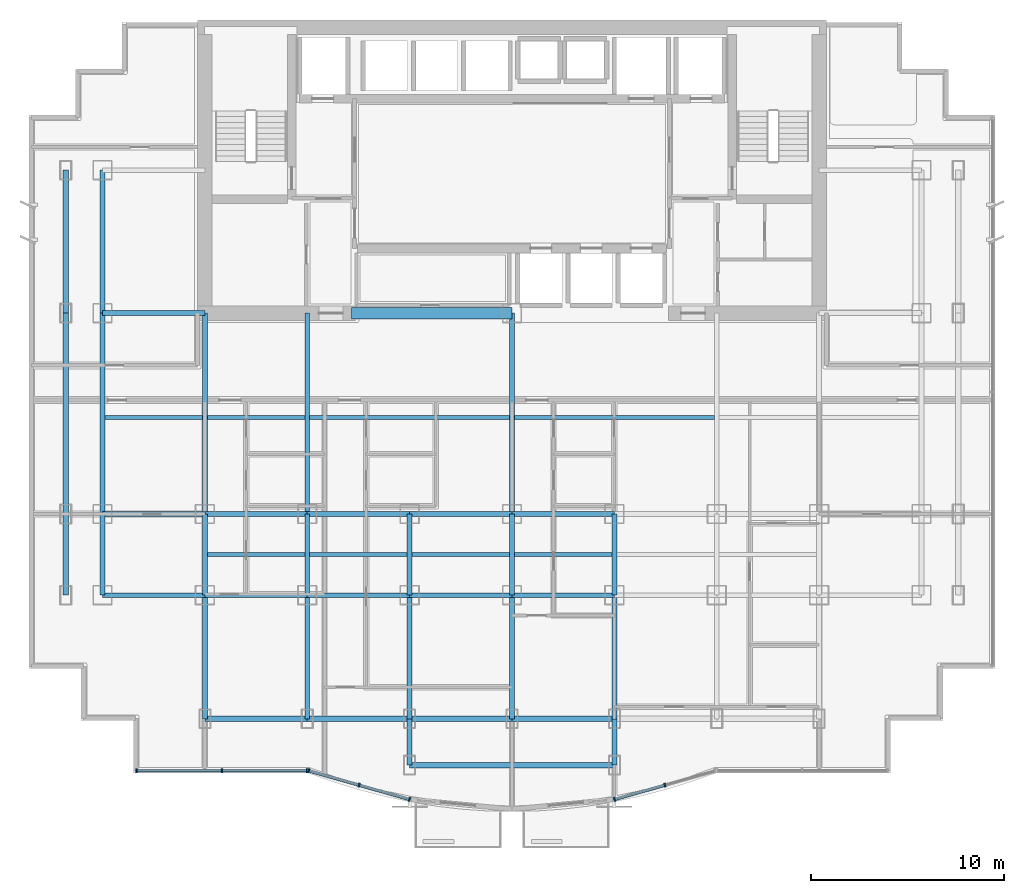
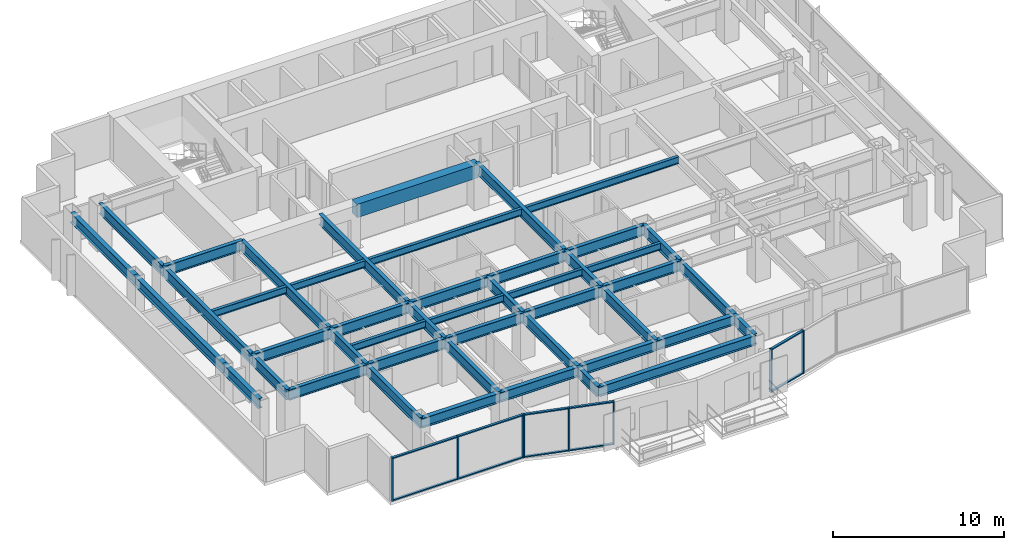
# One storey, part 2 of 12: 46 beams, 18 members, 3 elements without a shape of their own.
"""IFC4 building model written with IfcOpenShell, lengths in metres."""

from ifc_helpers import new_model, si_unit, direction, frame, origin, origin_2d, place, context, subcontext, project, spatial, rectangle, i_section, extrude, source, transform, mapped, material, layer, layer_set, material_profile, profile_set, type_object, element, aggregate, save


model = new_model("IFC4")

# Units and contexts
model_context = context("Model", 3, precision=1e-05, world=origin(), true_north=direction((0.0, 1.0)))
body_context = subcontext(model_context, "Body", "Model", "MODEL_VIEW")
ifc_project = project(units=[si_unit("LENGTHUNIT", "METRE"), si_unit("AREAUNIT", "SQUARE_METRE"), si_unit("VOLUMEUNIT", "CUBIC_METRE"), si_unit("PLANEANGLEUNIT", "RADIAN"), si_unit("MASSUNIT", "GRAM", prefix="KILO")], contexts=[model_context])

# Site, building, storey
site_placement = place(None, origin())
site = spatial("IfcSite", under=ifc_project, at=site_placement, CompositionType="ELEMENT")
building_placement = place(site_placement, origin())
building = spatial("IfcBuilding", under=site, at=building_placement, Name="Qianlan Lanfeng Residences", CompositionType="ELEMENT")
storey_placement = place(building_placement, frame((0.0, 0.0, 85.0)))
storey = spatial("IfcBuildingStorey", under=building, at=storey_placement, Name="L22", CompositionType="ELEMENT", Elevation=85.0)

# Beams
ifc_material_1 = material(Name="Steel SN490B", Category="steel")
ifc_material_profile_1 = material_profile(ifc_material_1, i_section(OverallWidth=0.25, OverallDepth=0.75, WebThickness=0.013916015625, FlangeThickness=0.02490234375, at=origin_2d()), Name="H 750x250x14x25")
ifc_profile_set_1 = profile_set([ifc_material_profile_1], Name="Steel SN490B")
beam_type_1 = type_object("IfcBeamType", Name="G-850", PredefinedType="BEAM", material=ifc_profile_set_1)
beam_1_placement = place(storey_placement, frame((5.300048828125, 10.60009765625, 2.715087890625), z_axis=(1.0, 0.0, 0.0), x_axis=(0.0, 1.0, 0.0)))
element("IfcBeam", 1, at=beam_1_placement, inside=storey, type_object=beam_type_1, Name="Structural beam G-850", PredefinedType="BEAM", context=body_context, shape_type="SweptSolid", body=[
    extrude(i_section(OverallWidth=0.25, OverallDepth=0.75, WebThickness=0.013916015625, FlangeThickness=0.02490234375, at=origin_2d()), origin(), (0.0, 0.0, 1.0), 5.300048828125),
])
beam_2_placement = place(storey_placement, frame((10.60009765625, 10.60009765625, 2.715087890625), z_axis=(1.0, 0.0, 0.0), x_axis=(0.0, 1.0, 0.0)))
element("IfcBeam", 2, at=beam_2_placement, inside=storey, type_object=beam_type_1, Name="Structural beam G-850", PredefinedType="BEAM", context=body_context, shape_type="SweptSolid", body=[
    extrude(i_section(OverallWidth=0.25, OverallDepth=0.75, WebThickness=0.013916015625, FlangeThickness=0.02490234375, at=origin_2d()), origin(), (0.0, 0.0, 1.0), 5.2998046875),
])
for number, where, z_axis, x_axis, name in (
    (3, (15.89990234375, 10.60009765625, 2.715087890625), (1.0, 0.0, 0.0), (0.0, 1.0, 0.0), "Structural beam G-850"),
    (4, (21.199951171875, 10.60009765625, 2.715087890625), (1.0, 0.0, 0.0), (0.0, 1.0, 0.0), "Structural beam G-850"),
    (5, (26.5, 10.60009765625, 2.715087890625), (1.0, 0.0, 0.0), (0.0, 1.0, 0.0), "Structural beam G-850"),
    (6, (5.300048828125, 14.800048828125, 2.715087890625), (1.0, 0.0, 0.0), (0.0, 1.0, 0.0), "Structural beam G-850"),
):
    element("IfcBeam", number, at=place(storey_placement, frame(where, z_axis=z_axis, x_axis=x_axis)), inside=storey, type_object=beam_type_1, Name=name, PredefinedType="BEAM", context=body_context, shape_type="SweptSolid", body=[
        extrude(i_section(OverallWidth=0.25, OverallDepth=0.75, WebThickness=0.013916015625, FlangeThickness=0.02490234375, at=origin_2d()), origin(), (0.0, 0.0, 1.0), 5.300048828125),
    ])
beam_3_placement = place(storey_placement, frame((10.60009765625, 14.800048828125, 2.715087890625), z_axis=(1.0, 0.0, 0.0), x_axis=(0.0, 1.0, 0.0)))
element("IfcBeam", 7, at=beam_3_placement, inside=storey, type_object=beam_type_1, Name="Structural beam G-850", PredefinedType="BEAM", context=body_context, shape_type="SweptSolid", body=[
    extrude(i_section(OverallWidth=0.25, OverallDepth=0.75, WebThickness=0.013916015625, FlangeThickness=0.02490234375, at=origin_2d()), origin(), (0.0, 0.0, 1.0), 5.2998046875),
])
for number, where, z_axis, x_axis, name in (
    (8, (15.89990234375, 14.800048828125, 2.715087890625), (1.0, 0.0, 0.0), (0.0, 1.0, 0.0), "Structural beam G-850"),
    (9, (21.199951171875, 14.800048828125, 2.715087890625), (1.0, 0.0, 0.0), (0.0, 1.0, 0.0), "Structural beam G-850"),
    (10, (26.5, 14.800048828125, 2.715087890625), (1.0, 0.0, 0.0), (0.0, 1.0, 0.0), "Structural beam G-850"),
    (11, (5.300048828125, 25.199951171875, 2.715087890625), (1.0, 0.0, 0.0), (0.0, 1.0, 0.0), "Structural beam G-850"),
):
    element("IfcBeam", number, at=place(storey_placement, frame(where, z_axis=z_axis, x_axis=x_axis)), inside=storey, type_object=beam_type_1, Name=name, PredefinedType="BEAM", context=body_context, shape_type="SweptSolid", body=[
        extrude(i_section(OverallWidth=0.25, OverallDepth=0.75, WebThickness=0.013916015625, FlangeThickness=0.02490234375, at=origin_2d()), origin(), (0.0, 0.0, 1.0), 5.300048828125),
    ])
beam_4_placement = place(storey_placement, frame((5.300048828125, 10.60009765625, 2.715087890625), z_axis=(0.0, 1.0, 0.0), x_axis=(-1.0, 0.0, 0.0)))
element("IfcBeam", 12, at=beam_4_placement, inside=storey, type_object=beam_type_1, Name="Structural beam G-850", PredefinedType="BEAM", context=body_context, shape_type="SweptSolid", body=[
    extrude(i_section(OverallWidth=0.25, OverallDepth=0.75, WebThickness=0.013916015625, FlangeThickness=0.02490234375, at=origin_2d()), origin(), (0.0, 0.0, 1.0), 4.199951171875),
])
beam_5_placement = place(storey_placement, frame((5.300048828125, 14.800048828125, 2.715087890625), z_axis=(0.0, 1.0, 0.0), x_axis=(-1.0, 0.0, 0.0)))
element("IfcBeam", 13, at=beam_5_placement, inside=storey, type_object=beam_type_1, Name="Structural beam G-850", PredefinedType="BEAM", context=body_context, shape_type="SweptSolid", body=[
    extrude(i_section(OverallWidth=0.25, OverallDepth=0.75, WebThickness=0.013916015625, FlangeThickness=0.02490234375, at=origin_2d()), origin(), (0.0, 0.0, 1.0), 10.39990234375),
])
beam_6_placement = place(storey_placement, frame((5.300048828125, 25.199951171875, 2.715087890625), z_axis=(0.0, 1.0, 0.0), x_axis=(-1.0, 0.0, 0.0)))
element("IfcBeam", 14, at=beam_6_placement, inside=storey, type_object=beam_type_1, Name="Structural beam G-850", PredefinedType="BEAM", context=body_context, shape_type="SweptSolid", body=[
    extrude(i_section(OverallWidth=0.25, OverallDepth=0.75, WebThickness=0.013916015625, FlangeThickness=0.02490234375, at=origin_2d()), origin(), (0.0, 0.0, 1.0), 7.400146484375),
])
beam_7_placement = place(storey_placement, frame((10.60009765625, 4.199951171875, 2.715087890625), z_axis=(0.0, 1.0, 0.0), x_axis=(-1.0, 0.0, 0.0)))
element("IfcBeam", 15, at=beam_7_placement, inside=storey, type_object=beam_type_1, Name="Structural beam G-850", PredefinedType="BEAM", context=body_context, shape_type="SweptSolid", body=[
    extrude(i_section(OverallWidth=0.25, OverallDepth=0.75, WebThickness=0.013916015625, FlangeThickness=0.02490234375, at=origin_2d()), origin(), (0.0, 0.0, 1.0), 6.400146484375),
])
beam_8_placement = place(storey_placement, frame((10.60009765625, 10.60009765625, 2.715087890625), z_axis=(0.0, 1.0, 0.0), x_axis=(-1.0, 0.0, 0.0)))
element("IfcBeam", 16, at=beam_8_placement, inside=storey, type_object=beam_type_1, Name="Structural beam G-850", PredefinedType="BEAM", context=body_context, shape_type="SweptSolid", body=[
    extrude(i_section(OverallWidth=0.25, OverallDepth=0.75, WebThickness=0.013916015625, FlangeThickness=0.02490234375, at=origin_2d()), origin(), (0.0, 0.0, 1.0), 4.199951171875),
])
beam_9_placement = place(storey_placement, frame((10.60009765625, 14.800048828125, 2.715087890625), z_axis=(0.0, 1.0, 0.0), x_axis=(-1.0, 0.0, 0.0)))
element("IfcBeam", 17, at=beam_9_placement, inside=storey, type_object=beam_type_1, Name="Structural beam G-850", PredefinedType="BEAM", context=body_context, shape_type="SweptSolid", body=[
    extrude(i_section(OverallWidth=0.25, OverallDepth=0.75, WebThickness=0.013916015625, FlangeThickness=0.02490234375, at=origin_2d()), origin(), (0.0, 0.0, 1.0), 10.39990234375),
])
beam_10_placement = place(storey_placement, frame((15.89990234375, 4.199951171875, 2.715087890625), z_axis=(0.0, 1.0, 0.0), x_axis=(-1.0, 0.0, 0.0)))
element("IfcBeam", 18, at=beam_10_placement, inside=storey, type_object=beam_type_1, Name="Structural beam G-850", PredefinedType="BEAM", context=body_context, shape_type="SweptSolid", body=[
    extrude(i_section(OverallWidth=0.25, OverallDepth=0.75, WebThickness=0.013916015625, FlangeThickness=0.02490234375, at=origin_2d()), origin(), (0.0, 0.0, 1.0), 6.400146484375),
])
beam_11_placement = place(storey_placement, frame((15.89990234375, 10.60009765625, 2.715087890625), z_axis=(0.0, 1.0, 0.0), x_axis=(-1.0, 0.0, 0.0)))
element("IfcBeam", 19, at=beam_11_placement, inside=storey, type_object=beam_type_1, Name="Structural beam G-850", PredefinedType="BEAM", context=body_context, shape_type="SweptSolid", body=[
    extrude(i_section(OverallWidth=0.25, OverallDepth=0.75, WebThickness=0.013916015625, FlangeThickness=0.02490234375, at=origin_2d()), origin(), (0.0, 0.0, 1.0), 4.199951171875),
])
beam_12_placement = place(storey_placement, frame((15.89990234375, 14.800048828125, 2.715087890625), z_axis=(0.0, 1.0, 0.0), x_axis=(-1.0, 0.0, 0.0)))
element("IfcBeam", 20, at=beam_12_placement, inside=storey, type_object=beam_type_1, Name="Structural beam G-850", PredefinedType="BEAM", context=body_context, shape_type="SweptSolid", body=[
    extrude(i_section(OverallWidth=0.25, OverallDepth=0.75, WebThickness=0.013916015625, FlangeThickness=0.02490234375, at=origin_2d()), origin(), (0.0, 0.0, 1.0), 10.39990234375),
])
beam_13_placement = place(storey_placement, frame((21.199951171875, 1.800048828125, 2.715087890625), z_axis=(0.0, 1.0, 0.0), x_axis=(-1.0, 0.0, 0.0)))
element("IfcBeam", 21, at=beam_13_placement, inside=storey, type_object=beam_type_1, Name="Structural beam G-850", PredefinedType="BEAM", context=body_context, shape_type="SweptSolid", body=[
    extrude(i_section(OverallWidth=0.25, OverallDepth=0.75, WebThickness=0.013916015625, FlangeThickness=0.02490234375, at=origin_2d()), origin(), (0.0, 0.0, 1.0), 2.39990234375),
])
beam_14_placement = place(storey_placement, frame((21.199951171875, 4.199951171875, 2.715087890625), z_axis=(0.0, 1.0, 0.0), x_axis=(-1.0, 0.0, 0.0)))
element("IfcBeam", 22, at=beam_14_placement, inside=storey, type_object=beam_type_1, Name="Structural beam G-850", PredefinedType="BEAM", context=body_context, shape_type="SweptSolid", body=[
    extrude(i_section(OverallWidth=0.25, OverallDepth=0.75, WebThickness=0.013916015625, FlangeThickness=0.02490234375, at=origin_2d()), origin(), (0.0, 0.0, 1.0), 6.400146484375),
])
beam_15_placement = place(storey_placement, frame((21.199951171875, 10.60009765625, 2.715087890625), z_axis=(0.0, 1.0, 0.0), x_axis=(-1.0, 0.0, 0.0)))
element("IfcBeam", 23, at=beam_15_placement, inside=storey, type_object=beam_type_1, Name="Structural beam G-850", PredefinedType="BEAM", context=body_context, shape_type="SweptSolid", body=[
    extrude(i_section(OverallWidth=0.25, OverallDepth=0.75, WebThickness=0.013916015625, FlangeThickness=0.02490234375, at=origin_2d()), origin(), (0.0, 0.0, 1.0), 4.199951171875),
])
beam_16_placement = place(storey_placement, frame((26.5, 4.199951171875, 2.715087890625), z_axis=(0.0, 1.0, 0.0), x_axis=(-1.0, 0.0, 0.0)))
element("IfcBeam", 24, at=beam_16_placement, inside=storey, type_object=beam_type_1, Name="Structural beam G-850", PredefinedType="BEAM", context=body_context, shape_type="SweptSolid", body=[
    extrude(i_section(OverallWidth=0.25, OverallDepth=0.75, WebThickness=0.013916015625, FlangeThickness=0.02490234375, at=origin_2d()), origin(), (0.0, 0.0, 1.0), 6.400146484375),
])
beam_17_placement = place(storey_placement, frame((26.5, 10.60009765625, 2.715087890625), z_axis=(0.0, 1.0, 0.0), x_axis=(-1.0, 0.0, 0.0)))
element("IfcBeam", 25, at=beam_17_placement, inside=storey, type_object=beam_type_1, Name="Structural beam G-850", PredefinedType="BEAM", context=body_context, shape_type="SweptSolid", body=[
    extrude(i_section(OverallWidth=0.25, OverallDepth=0.75, WebThickness=0.013916015625, FlangeThickness=0.02490234375, at=origin_2d()), origin(), (0.0, 0.0, 1.0), 4.199951171875),
])
beam_18_placement = place(storey_placement, frame((26.5, 14.800048828125, 2.715087890625), z_axis=(0.0, 1.0, 0.0), x_axis=(-1.0, 0.0, 0.0)))
element("IfcBeam", 26, at=beam_18_placement, inside=storey, type_object=beam_type_1, Name="Structural beam G-850", PredefinedType="BEAM", context=body_context, shape_type="SweptSolid", body=[
    extrude(i_section(OverallWidth=0.25, OverallDepth=0.75, WebThickness=0.013916015625, FlangeThickness=0.02490234375, at=origin_2d()), origin(), (0.0, 0.0, 1.0), 10.39990234375),
])
beam_19_placement = place(storey_placement, frame((31.800048828125, 1.800048828125, 2.715087890625), z_axis=(0.0, 1.0, 0.0), x_axis=(-1.0, 0.0, 0.0)))
element("IfcBeam", 27, at=beam_19_placement, inside=storey, type_object=beam_type_1, Name="Structural beam G-850", PredefinedType="BEAM", context=body_context, shape_type="SweptSolid", body=[
    extrude(i_section(OverallWidth=0.25, OverallDepth=0.75, WebThickness=0.013916015625, FlangeThickness=0.02490234375, at=origin_2d()), origin(), (0.0, 0.0, 1.0), 2.39990234375),
])
beam_20_placement = place(storey_placement, frame((31.800048828125, 4.199951171875, 2.715087890625), z_axis=(0.0, 1.0, 0.0), x_axis=(-1.0, 0.0, 0.0)))
element("IfcBeam", 28, at=beam_20_placement, inside=storey, type_object=beam_type_1, Name="Structural beam G-850", PredefinedType="BEAM", context=body_context, shape_type="SweptSolid", body=[
    extrude(i_section(OverallWidth=0.25, OverallDepth=0.75, WebThickness=0.013916015625, FlangeThickness=0.02490234375, at=origin_2d()), origin(), (0.0, 0.0, 1.0), 6.400146484375),
])
beam_21_placement = place(storey_placement, frame((31.800048828125, 10.60009765625, 2.715087890625), z_axis=(0.0, 1.0, 0.0), x_axis=(-1.0, 0.0, 0.0)))
element("IfcBeam", 29, at=beam_21_placement, inside=storey, type_object=beam_type_1, Name="Structural beam G-850", PredefinedType="BEAM", context=body_context, shape_type="SweptSolid", body=[
    extrude(i_section(OverallWidth=0.25, OverallDepth=0.75, WebThickness=0.013916015625, FlangeThickness=0.02490234375, at=origin_2d()), origin(), (0.0, 0.0, 1.0), 4.199951171875),
])
ifc_material_profile_2 = material_profile(ifc_material_1, i_section(OverallWidth=0.199951171875, OverallDepth=0.5, WebThickness=0.010009765625, FlangeThickness=0.01611328125, at=origin_2d()), Name="H 500x200x10x16")
ifc_profile_set_2 = profile_set([ifc_material_profile_2], Name="Steel SN490B")
beam_type_2 = type_object("IfcBeamType", Name="J-500", PredefinedType="JOIST", material=ifc_profile_set_2)
beam_22_placement = place(storey_placement, frame((10.72509765625, 12.699951171875, 2.840087890625), z_axis=(1.0, 0.0, 0.0), x_axis=(0.0, 1.0, 0.0)))
element("IfcBeam", 30, at=beam_22_placement, inside=storey, type_object=beam_type_2, Name="Structural beam J-500", PredefinedType="JOIST", context=body_context, shape_type="SweptSolid", body=[
    extrude(i_section(OverallWidth=0.199951171875, OverallDepth=0.5, WebThickness=0.010009765625, FlangeThickness=0.01611328125, at=origin_2d()), origin(), (0.0, 0.0, 1.0), 5.0498046875),
])
for number, where, z_axis, x_axis, name in (
    (31, (16.02490234375, 12.699951171875, 2.840087890625), (1.0, 0.0, 0.0), (0.0, 1.0, 0.0), "Structural beam J-500"),
    (32, (21.324951171875, 12.699951171875, 2.840087890625), (1.0, 0.0, 0.0), (0.0, 1.0, 0.0), "Structural beam J-500"),
    (33, (26.625, 12.699951171875, 2.840087890625), (1.0, 0.0, 0.0), (0.0, 1.0, 0.0), "Structural beam J-500"),
    (34, (5.425048828125, 19.800048828125, 2.840087890625), (1.0, 0.0, 0.0), (0.0, 1.0, 0.0), "Structural beam J-500"),
):
    element("IfcBeam", number, at=place(storey_placement, frame(where, z_axis=z_axis, x_axis=x_axis)), inside=storey, type_object=beam_type_2, Name=name, PredefinedType="JOIST", context=body_context, shape_type="SweptSolid", body=[
        extrude(i_section(OverallWidth=0.199951171875, OverallDepth=0.5, WebThickness=0.010009765625, FlangeThickness=0.01611328125, at=origin_2d()), origin(), (0.0, 0.0, 1.0), 5.050048828125),
    ])
beam_23_placement = place(storey_placement, frame((10.72509765625, 19.800048828125, 2.840087890625), z_axis=(1.0, 0.0, 0.0), x_axis=(0.0, 1.0, 0.0)))
element("IfcBeam", 35, at=beam_23_placement, inside=storey, type_object=beam_type_2, Name="Structural beam J-500", PredefinedType="JOIST", context=body_context, shape_type="SweptSolid", body=[
    extrude(i_section(OverallWidth=0.199951171875, OverallDepth=0.5, WebThickness=0.010009765625, FlangeThickness=0.01611328125, at=origin_2d()), origin(), (0.0, 0.0, 1.0), 5.0498046875),
])
for number, where, z_axis, x_axis, name in (
    (36, (16.02490234375, 19.800048828125, 2.840087890625), (1.0, 0.0, 0.0), (0.0, 1.0, 0.0), "Structural beam J-500"),
    (37, (26.625, 19.800048828125, 2.840087890625), (1.0, 0.0, 0.0), (0.0, 1.0, 0.0), "Structural beam J-500"),
):
    element("IfcBeam", number, at=place(storey_placement, frame(where, z_axis=z_axis, x_axis=x_axis)), inside=storey, type_object=beam_type_2, Name=name, PredefinedType="JOIST", context=body_context, shape_type="SweptSolid", body=[
        extrude(i_section(OverallWidth=0.199951171875, OverallDepth=0.5, WebThickness=0.010009765625, FlangeThickness=0.01611328125, at=origin_2d()), origin(), (0.0, 0.0, 1.0), 10.35009765625),
    ])
ifc_material_2 = material(Name="Concrete C60", Category="concrete")
ifc_material_profile_3 = material_profile(ifc_material_2, rectangle(XDim=0.60009765625, YDim=0.949951171875, at=origin_2d()), Name="RC 600x950")
ifc_profile_set_3 = profile_set([ifc_material_profile_3], Name="Concrete C60")
beam_type_3 = type_object("IfcBeamType", Name="LB-RC900", PredefinedType="BEAM", material=ifc_profile_set_3)
beam_24_placement = place(storey_placement, frame((18.199951171875, 25.199951171875, 2.614990234375), z_axis=(1.0, 0.0, 0.0), x_axis=(0.0, 1.0, 0.0)))
element("IfcBeam", 38, at=beam_24_placement, inside=storey, type_object=beam_type_3, Name="L22 Core Coupling Beam W", PredefinedType="BEAM", context=body_context, shape_type="SweptSolid", body=[
    extrude(rectangle(XDim=0.60009765625, YDim=0.949951171875, at=origin_2d()), origin(), (0.0, 0.0, 1.0), 8.300048828125),
])
ifc_material_profile_4 = material_profile(ifc_material_1, i_section(OverallWidth=0.300048828125, OverallDepth=0.699951171875, WebThickness=0.012939453125, FlangeThickness=0.02392578125, at=origin_2d()), Name="H 700x300x13x24")
ifc_profile_set_4 = profile_set([ifc_material_profile_4], Name="Steel SN490B")
beam_type_4 = type_object("IfcBeamType", Name="SG-750", PredefinedType="SPANDREL", material=ifc_profile_set_4)
beam_25_placement = place(storey_placement, frame((21.199951171875, 1.800048828125, 2.739990234375), z_axis=(1.0, 0.0, 0.0), x_axis=(0.0, 1.0, 0.0)))
element("IfcBeam", 39, at=beam_25_placement, inside=storey, type_object=beam_type_4, Name="Structural beam SG-750", PredefinedType="SPANDREL", context=body_context, shape_type="SweptSolid", body=[
    extrude(i_section(OverallWidth=0.300048828125, OverallDepth=0.699951171875, WebThickness=0.012939453125, FlangeThickness=0.02392578125, at=origin_2d()), origin(), (0.0, 0.0, 1.0), 10.60009765625),
])
beam_26_placement = place(storey_placement, frame((10.60009765625, 4.199951171875, 2.739990234375), z_axis=(1.0, 0.0, 0.0), x_axis=(0.0, 1.0, 0.0)))
element("IfcBeam", 40, at=beam_26_placement, inside=storey, type_object=beam_type_4, Name="Structural beam SG-750", PredefinedType="SPANDREL", context=body_context, shape_type="SweptSolid", body=[
    extrude(i_section(OverallWidth=0.300048828125, OverallDepth=0.699951171875, WebThickness=0.012939453125, FlangeThickness=0.02392578125, at=origin_2d()), origin(), (0.0, 0.0, 1.0), 5.2998046875),
])
for number, where, z_axis, x_axis, name in (
    (41, (15.89990234375, 4.199951171875, 2.739990234375), (1.0, 0.0, 0.0), (0.0, 1.0, 0.0), "Structural beam SG-750"),
    (42, (21.199951171875, 4.199951171875, 2.739990234375), (1.0, 0.0, 0.0), (0.0, 1.0, 0.0), "Structural beam SG-750"),
    (43, (26.5, 4.199951171875, 2.739990234375), (1.0, 0.0, 0.0), (0.0, 1.0, 0.0), "Structural beam SG-750"),
):
    element("IfcBeam", number, at=place(storey_placement, frame(where, z_axis=z_axis, x_axis=x_axis)), inside=storey, type_object=beam_type_4, Name=name, PredefinedType="SPANDREL", context=body_context, shape_type="SweptSolid", body=[
        extrude(i_section(OverallWidth=0.300048828125, OverallDepth=0.699951171875, WebThickness=0.012939453125, FlangeThickness=0.02392578125, at=origin_2d()), origin(), (0.0, 0.0, 1.0), 5.300048828125),
    ])
beam_27_placement = place(storey_placement, frame((3.39990234375, 10.60009765625, 2.739990234375), z_axis=(0.0, 1.0, 0.0), x_axis=(-1.0, 0.0, 0.0)))
element("IfcBeam", 44, at=beam_27_placement, inside=storey, type_object=beam_type_4, Name="Structural beam SG-750", PredefinedType="SPANDREL", context=body_context, shape_type="SweptSolid", body=[
    extrude(i_section(OverallWidth=0.300048828125, OverallDepth=0.699951171875, WebThickness=0.012939453125, FlangeThickness=0.02392578125, at=origin_2d()), origin(), (0.0, 0.0, 1.0), 4.199951171875),
])
beam_28_placement = place(storey_placement, frame((3.39990234375, 14.800048828125, 2.739990234375), z_axis=(0.0, 1.0, 0.0), x_axis=(-1.0, 0.0, 0.0)))
element("IfcBeam", 45, at=beam_28_placement, inside=storey, type_object=beam_type_4, Name="Structural beam SG-750", PredefinedType="SPANDREL", context=body_context, shape_type="SweptSolid", body=[
    extrude(i_section(OverallWidth=0.300048828125, OverallDepth=0.699951171875, WebThickness=0.012939453125, FlangeThickness=0.02392578125, at=origin_2d()), origin(), (0.0, 0.0, 1.0), 10.39990234375),
])
beam_29_placement = place(storey_placement, frame((3.39990234375, 25.199951171875, 2.739990234375), z_axis=(0.0, 1.0, 0.0), x_axis=(-1.0, 0.0, 0.0)))
element("IfcBeam", 46, at=beam_29_placement, inside=storey, type_object=beam_type_4, Name="Structural beam SG-750", PredefinedType="SPANDREL", context=body_context, shape_type="SweptSolid", body=[
    extrude(i_section(OverallWidth=0.300048828125, OverallDepth=0.699951171875, WebThickness=0.012939453125, FlangeThickness=0.02392578125, at=origin_2d()), origin(), (0.0, 0.0, 1.0), 7.400146484375),
])

# Curtain wall, members
ifc_material_3 = material(Name="Anodised Bronze Aluminium 6063-T6", Category="aluminium")
ifc_layer = layer(ifc_material_3, 0.219970703125)
ifc_layer_set = layer_set([ifc_layer], Name="Anodised Bronze Aluminium 6063-T6")
curtain_wall_type = type_object("IfcCurtainWallType", Name="CW-03", PredefinedType="NOTDEFINED", material=ifc_layer_set)
curtain_wall_1_placement = place(storey_placement, origin())
curtain_wall_1 = element("IfcCurtainWall", 47, at=curtain_wall_1_placement, inside=storey, type_object=curtain_wall_type, Name="L22 Unitised Curtain Wall CWR-L22-01 (CW-03)", PredefinedType="NOTDEFINED")
ifc_material_profile_5 = material_profile(ifc_material_3, rectangle(XDim=0.080078125, YDim=0.159912109375, at=origin_2d()), Name="ALU TRANSOM 80x160")
ifc_profile_set_5 = profile_set([ifc_material_profile_5], Name="Anodised Bronze Aluminium 6063-T6")
member_type_1 = type_object("IfcMemberType", Name="CWT-180", PredefinedType="USERDEFINED", material=ifc_profile_set_5)
shared_shape_1 = source(origin(), body_context, "Body", "SweptSolid", [
    extrude(rectangle(XDim=0.080078125, YDim=0.159912109375, at=origin_2d()), origin(), (0.0, 0.0, 1.0), 4.34033203125),
])
member_1_placement = place(storey_placement, frame((7.10009765625, 1.52001953125, 0.0400390625), z_axis=(1.0, 0.0, 0.0), x_axis=(0.0, 0.0, 1.0)))
member_1 = element("IfcMember", 48, at=member_1_placement, type_object=member_type_1, Name="CWR-L22-01 Transom 1-BOT", ObjectType="TRANSOM", PredefinedType="USERDEFINED", context=body_context, shape_type="MappedRepresentation", body=[
    mapped(shared_shape_1, transform((0.0, 0.0, 0.0), scale=1.0)),
])
member_2_placement = place(storey_placement, frame((7.10009765625, 1.52001953125, 3.050048828125), z_axis=(1.0, 0.0, 0.0), x_axis=(0.0, 0.0, 1.0)))
member_2 = element("IfcMember", 49, at=member_2_placement, type_object=member_type_1, Name="CWR-L22-01 Transom 1-TOP", ObjectType="TRANSOM", PredefinedType="USERDEFINED", context=body_context, shape_type="MappedRepresentation", body=[
    mapped(shared_shape_1, transform((0.0, 0.0, 0.0), scale=1.0)),
])
shared_shape_2 = source(origin(), body_context, "Body", "SweptSolid", [
    extrude(rectangle(XDim=0.080078125, YDim=0.159912109375, at=origin_2d()), origin(), (0.0, 0.0, 1.0), 4.340576171875),
])
member_3_placement = place(storey_placement, frame((11.5205078125, 1.52001953125, 0.0400390625), z_axis=(1.0, 0.0, 0.0), x_axis=(0.0, 0.0, 1.0)))
member_3 = element("IfcMember", 50, at=member_3_placement, type_object=member_type_1, Name="CWR-L22-01 Transom 2-BOT", ObjectType="TRANSOM", PredefinedType="USERDEFINED", context=body_context, shape_type="MappedRepresentation", body=[
    mapped(shared_shape_2, transform((0.0, 0.0, 0.0), scale=1.0)),
])
member_4_placement = place(storey_placement, frame((11.5205078125, 1.52001953125, 3.050048828125), z_axis=(1.0, 0.0, 0.0), x_axis=(0.0, 0.0, 1.0)))
member_4 = element("IfcMember", 51, at=member_4_placement, type_object=member_type_1, Name="CWR-L22-01 Transom 2-TOP", ObjectType="TRANSOM", PredefinedType="USERDEFINED", context=body_context, shape_type="MappedRepresentation", body=[
    mapped(shared_shape_2, transform((0.0, 0.0, 0.0), scale=1.0)),
])

curtain_wall_2_placement = place(storey_placement, origin())
curtain_wall_2 = element("IfcCurtainWall", 52, at=curtain_wall_2_placement, inside=storey, type_object=curtain_wall_type, Name="L22 Unitised Curtain Wall CWR-L22-02 (CW-03)", PredefinedType="NOTDEFINED")
shared_shape_3 = source(origin(), body_context, "Body", "SweptSolid", [
    extrude(rectangle(XDim=0.080078125, YDim=0.159912109375, at=origin_2d()), origin(), (0.0, 0.0, 1.0), 2.630126953125),
])
member_5_placement = place(storey_placement, frame((16.01806640625, 1.498291015625, 0.0400390625), z_axis=(0.961960587005, -0.273188266675, 0.0), x_axis=(0.0, 0.0, 1.0)))
member_5 = element("IfcMember", 53, at=member_5_placement, type_object=member_type_1, Name="CWR-L22-02 Transom 1-BOT", ObjectType="TRANSOM", PredefinedType="USERDEFINED", context=body_context, shape_type="MappedRepresentation", body=[
    mapped(shared_shape_3, transform((0.0, 0.0, 0.0), scale=1.0)),
])
member_6_placement = place(storey_placement, frame((16.01806640625, 1.498291015625, 3.050048828125), z_axis=(0.961960587005, -0.273188266675, 0.0), x_axis=(0.0, 0.0, 1.0)))
member_6 = element("IfcMember", 54, at=member_6_placement, type_object=member_type_1, Name="CWR-L22-02 Transom 1-TOP", ObjectType="TRANSOM", PredefinedType="USERDEFINED", context=body_context, shape_type="MappedRepresentation", body=[
    mapped(shared_shape_3, transform((0.0, 0.0, 0.0), scale=1.0)),
])
member_7_placement = place(storey_placement, frame((18.625, 0.758056640625, 0.0400390625), z_axis=(0.961984978242, -0.273102364758, 0.0), x_axis=(0.0, 0.0, 1.0)))
member_7 = element("IfcMember", 55, at=member_7_placement, type_object=member_type_1, Name="CWR-L22-02 Transom 2-BOT", ObjectType="TRANSOM", PredefinedType="USERDEFINED", context=body_context, shape_type="MappedRepresentation", body=[
    mapped(shared_shape_3, transform((0.0, 0.0, 0.0), scale=1.0)),
])
member_8_placement = place(storey_placement, frame((18.625, 0.758056640625, 3.050048828125), z_axis=(0.961984978242, -0.273102364758, 0.0), x_axis=(0.0, 0.0, 1.0)))
member_8 = element("IfcMember", 56, at=member_8_placement, type_object=member_type_1, Name="CWR-L22-02 Transom 2-TOP", ObjectType="TRANSOM", PredefinedType="USERDEFINED", context=body_context, shape_type="MappedRepresentation", body=[
    mapped(shared_shape_3, transform((0.0, 0.0, 0.0), scale=1.0)),
])

curtain_wall_3_placement = place(storey_placement, origin())
curtain_wall_3 = element("IfcCurtainWall", 57, at=curtain_wall_3_placement, inside=storey, type_object=curtain_wall_type, Name="L22 Unitised Curtain Wall CWR-L22-03 (CW-03)", PredefinedType="NOTDEFINED")
member_9_placement = place(storey_placement, frame((31.844970703125, 0.039794921875, 0.0400390625), z_axis=(0.961984978242, 0.273102364758, 0.0), x_axis=(0.0, 0.0, 1.0)))
member_9 = element("IfcMember", 58, at=member_9_placement, type_object=member_type_1, Name="CWR-L22-03 Transom 1-BOT", ObjectType="TRANSOM", PredefinedType="USERDEFINED", context=body_context, shape_type="MappedRepresentation", body=[
    mapped(shared_shape_3, transform((0.0, 0.0, 0.0), scale=1.0)),
])
member_10_placement = place(storey_placement, frame((31.844970703125, 0.039794921875, 3.050048828125), z_axis=(0.961984978242, 0.273102364758, 0.0), x_axis=(0.0, 0.0, 1.0)))
member_10 = element("IfcMember", 59, at=member_10_placement, type_object=member_type_1, Name="CWR-L22-03 Transom 1-TOP", ObjectType="TRANSOM", PredefinedType="USERDEFINED", context=body_context, shape_type="MappedRepresentation", body=[
    mapped(shared_shape_3, transform((0.0, 0.0, 0.0), scale=1.0)),
])

# Member
ifc_material_profile_6 = material_profile(ifc_material_3, rectangle(XDim=0.080078125, YDim=0.2099609375, at=origin_2d()), Name="ALU MULLION 80x210")
ifc_profile_set_6 = profile_set([ifc_material_profile_6], Name="Anodised Bronze Aluminium 6063-T6")
member_type_2 = type_object("IfcMemberType", Name="CWM-220", PredefinedType="MULLION", material=ifc_profile_set_6)
shared_shape_4 = source(origin(), body_context, "Body", "SweptSolid", [
    extrude(rectangle(XDim=0.080078125, YDim=0.2099609375, at=origin_2d()), origin(), (0.0, 0.0, 1.0), 3.090087890625),
])
member_11_placement = place(storey_placement, frame((7.06005859375, 1.52001953125, 0.0), z_axis=(0.0, 0.0, 1.0), x_axis=(1.0, 0.0, 0.0)))
member_11 = element("IfcMember", 60, at=member_11_placement, type_object=member_type_2, Name="CWR-L22-01 Mullion 1", PredefinedType="MULLION", context=body_context, shape_type="MappedRepresentation", body=[
    mapped(shared_shape_4, transform((0.0, 0.0, 0.0), scale=1.0)),
])

member_12_placement = place(storey_placement, frame((11.48046875, 1.52001953125, 0.0), z_axis=(0.0, 0.0, 1.0), x_axis=(1.0, 0.0, 0.0)))
member_12 = element("IfcMember", 61, at=member_12_placement, type_object=member_type_2, Name="CWR-L22-01 Mullion 2", PredefinedType="MULLION", context=body_context, shape_type="MappedRepresentation", body=[
    mapped(shared_shape_4, transform((0.0, 0.0, 0.0), scale=1.0)),
])

member_13_placement = place(storey_placement, frame((15.90087890625, 1.52001953125, 0.0), z_axis=(0.0, 0.0, 1.0), x_axis=(1.0, 0.0, 0.0)))
member_13 = element("IfcMember", 62, at=member_13_placement, type_object=member_type_2, Name="CWR-L22-01 Mullion 3", PredefinedType="MULLION", context=body_context, shape_type="MappedRepresentation", body=[
    mapped(shared_shape_4, transform((0.0, 0.0, 0.0), scale=1.0)),
])

aggregate(curtain_wall_1, [member_11, member_12, member_13, member_1, member_2, member_3, member_4])

member_14_placement = place(storey_placement, frame((15.9794921875, 1.509033203125, 0.0), z_axis=(0.0, 0.0, 1.0), x_axis=(0.961989074302, -0.273087936247, 0.0)))
member_14 = element("IfcMember", 63, at=member_14_placement, type_object=member_type_2, Name="CWR-L22-02 Mullion 1", PredefinedType="MULLION", context=body_context, shape_type="MappedRepresentation", body=[
    mapped(shared_shape_4, transform((0.0, 0.0, 0.0), scale=1.0)),
])

member_15_placement = place(storey_placement, frame((18.58642578125, 0.76904296875, 0.0), z_axis=(0.0, 0.0, 1.0), x_axis=(0.961989074302, -0.273087936247, 0.0)))
member_15 = element("IfcMember", 64, at=member_15_placement, type_object=member_type_2, Name="CWR-L22-02 Mullion 2", PredefinedType="MULLION", context=body_context, shape_type="MappedRepresentation", body=[
    mapped(shared_shape_4, transform((0.0, 0.0, 0.0), scale=1.0)),
])

member_16_placement = place(storey_placement, frame((21.193603515625, 0.02880859375, 0.0), z_axis=(0.0, 0.0, 1.0), x_axis=(0.961989074302, -0.273087936247, 0.0)))
member_16 = element("IfcMember", 65, at=member_16_placement, type_object=member_type_2, Name="CWR-L22-02 Mullion 3", PredefinedType="MULLION", context=body_context, shape_type="MappedRepresentation", body=[
    mapped(shared_shape_4, transform((0.0, 0.0, 0.0), scale=1.0)),
])

aggregate(curtain_wall_2, [member_14, member_15, member_16, member_5, member_6, member_7, member_8])

member_17_placement = place(storey_placement, frame((31.806396484375, 0.02880859375, 0.0), z_axis=(0.0, 0.0, 1.0), x_axis=(0.961989074302, 0.273087936247, 0.0)))
member_17 = element("IfcMember", 66, at=member_17_placement, type_object=member_type_2, Name="CWR-L22-03 Mullion 1", PredefinedType="MULLION", context=body_context, shape_type="MappedRepresentation", body=[
    mapped(shared_shape_4, transform((0.0, 0.0, 0.0), scale=1.0)),
])

member_18_placement = place(storey_placement, frame((34.41357421875, 0.76904296875, 0.0), z_axis=(0.0, 0.0, 1.0), x_axis=(0.961989074302, 0.273087936247, 0.0)))
member_18 = element("IfcMember", 67, at=member_18_placement, type_object=member_type_2, Name="CWR-L22-03 Mullion 2", PredefinedType="MULLION", context=body_context, shape_type="MappedRepresentation", body=[
    mapped(shared_shape_4, transform((0.0, 0.0, 0.0), scale=1.0)),
])

aggregate(curtain_wall_3, [member_17, member_18, member_9, member_10])

save(model, "model.ifc")
